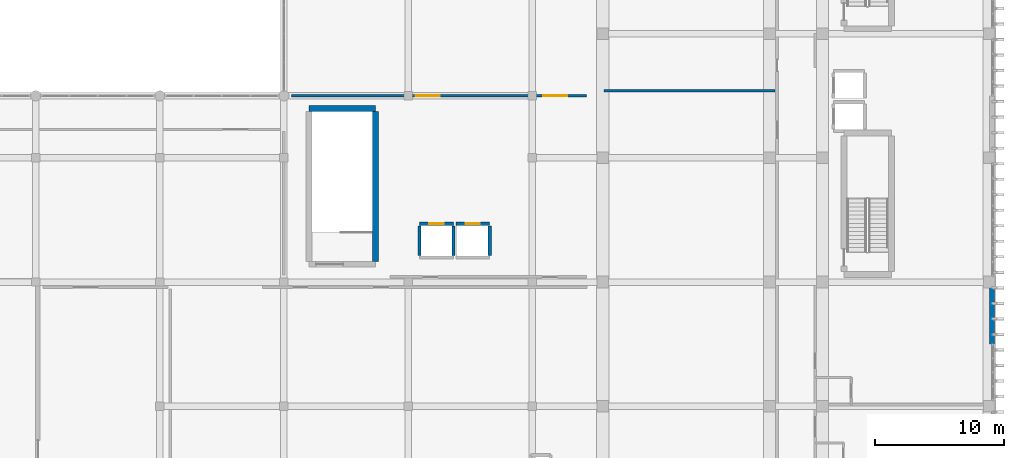
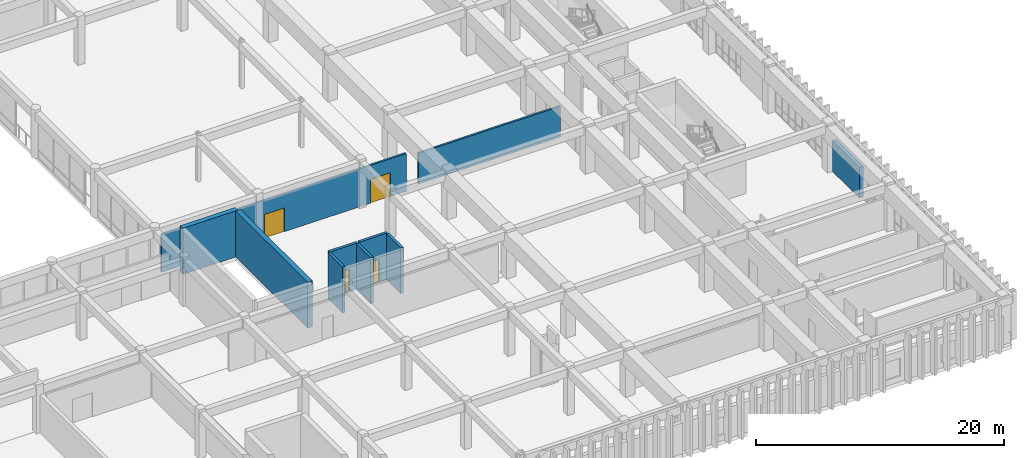
# One storey, part 77 of 101: 10 walls, 4 doors, 4 openings.
"""IFC4 building model written with IfcOpenShell, lengths in metres."""

from ifc_helpers import new_model, si_unit, direction, frame, frame_2d, origin, place, context, subcontext, project, spatial, rectangle, extrude, material, layer, layer_set, type_object, element, fill, save


model = new_model("IFC4")

# Units and contexts
model_context = context("Model", 3, precision=1e-05, world=origin(), true_north=direction((0.0, 1.0)))
body_context = subcontext(model_context, "Body", "Model", "MODEL_VIEW")
ifc_project = project(units=[si_unit("LENGTHUNIT", "METRE"), si_unit("AREAUNIT", "SQUARE_METRE"), si_unit("VOLUMEUNIT", "CUBIC_METRE"), si_unit("PLANEANGLEUNIT", "RADIAN"), si_unit("MASSUNIT", "GRAM", prefix="KILO")], contexts=[model_context])

# Site, building, storey
site_placement = place(None, origin())
site = spatial("IfcSite", under=ifc_project, at=site_placement, CompositionType="ELEMENT")
building_placement = place(site_placement, origin())
building = spatial("IfcBuilding", under=site, at=building_placement, Name="Nakhvara Creek Congress Hotel", CompositionType="ELEMENT")
storey_placement = place(building_placement, frame((0.0, 0.0, 16.199951171875)))
storey = spatial("IfcBuildingStorey", under=building, at=storey_placement, Name="L03", CompositionType="ELEMENT", Elevation=16.199951171875)

# Walls
ifc_material_1 = material(Name="Concrete C50/60", Category="concrete")
ifc_layer_1 = layer(ifc_material_1, 0.449951171875)
ifc_layer_set_1 = layer_set([ifc_layer_1], Name="Concrete C50/60")
wall_type_1 = type_object("IfcWallType", Name="W-CORE-450", PredefinedType="SHEAR", material=ifc_layer_set_1)
wall_1_placement = place(storey_placement, frame((126.72998046875, 42.219970703125, 0.0), z_axis=(0.0, 0.0, 1.0), x_axis=(1.0, 0.0, 0.0)))
element("IfcWall", 1, at=wall_1_placement, inside=storey, type_object=wall_type_1, Name="Core Shear Wall WS02-CWALL-L03-0837", PredefinedType="SHEAR", context=body_context, shape_type="SweptSolid", body=[
    extrude(rectangle(XDim=5.14990234375, YDim=0.449951171875, at=frame_2d((2.574951171875, 0.0))), origin(), (0.0, 0.0, 1.0), 4.5400390625),
])
wall_2_placement = place(storey_placement, frame((131.8798828125, 30.39990234375, 0.0), z_axis=(0.0, 0.0, 1.0), x_axis=(0.0, 1.0, 0.0)))
element("IfcWall", 2, at=wall_2_placement, inside=storey, type_object=wall_type_1, Name="Core Shear Wall WS02-CWALL-L03-0839", PredefinedType="SHEAR", context=body_context, shape_type="SweptSolid", body=[
    extrude(rectangle(XDim=11.60009765625, YDim=0.449951171875, at=frame_2d((5.800048828125, 0.0))), origin(), (0.0, 0.0, 1.0), 4.5400390625),
])
ifc_material_2 = material(Name="Honed pale Omani limestone cladding", Category="masonry")
ifc_layer_2 = layer(ifc_material_2, 0.050048828125)
ifc_material_3 = material(Name="Mineral wool thermal insulation")
ifc_layer_3 = layer(ifc_material_3, 0.110107421875)
ifc_material_4 = material(Name="Precast concrete C40/50", Category="concrete")
ifc_layer_4 = layer(ifc_material_4, 0.219970703125)
ifc_layer_set_2 = layer_set([ifc_layer_2, ifc_layer_3, ifc_layer_4], Name="Precast concrete C40/50")
wall_type_2 = type_object("IfcWallType", Name="W-EXT-380", PredefinedType="SOLIDWALL", material=ifc_layer_set_2)
wall_3_placement = place(storey_placement, frame((179.56005859375, 28.375, 0.0), z_axis=(0.0, 0.0, 1.0), x_axis=(0.0, -1.0, 0.0)))
element("IfcWall", 3, at=wall_3_placement, inside=storey, type_object=wall_type_2, Name="Exterior Wall WE03-EW-L03-0122", PredefinedType="SOLIDWALL", context=body_context, shape_type="SweptSolid", body=[
    extrude(rectangle(XDim=4.375, YDim=0.3798828125, at=frame_2d((2.1875, 0.0))), origin(), (0.0, 0.0, 1.0), 3.031982421875),
])

# Wall, openings, doors
ifc_material_5 = material(Name="Gypsum acoustic board on steel stud", Category="steel")
ifc_layer_5 = layer(ifc_material_5, 0.179931640625)
ifc_layer_set_3 = layer_set([ifc_layer_5], Name="Gypsum acoustic board on steel stud")
wall_type_3 = type_object("IfcWallType", Name="W-MEET-180", PredefinedType="PARTITIONING", material=ifc_layer_set_3)
wall_4_placement = place(storey_placement, frame((125.39990234375, 43.199951171875, 0.0), z_axis=(0.0, 0.0, 1.0), x_axis=(1.0, 0.0, 0.0)))
wall_4 = element("IfcWall", 4, at=wall_4_placement, inside=storey, type_object=wall_type_3, Name="Interior Wall WP13-IW-L03-0225", PredefinedType="PARTITIONING", context=body_context, shape_type="SweptSolid", body=[
    extrude(rectangle(XDim=22.800048828125, YDim=0.179931640625, at=frame_2d((11.39990234375, 0.0))), origin(), (0.0, 0.0, 1.0), 3.73193359375),
])
opening_1_placement = place(wall_4_placement, frame((9.60009765625, 0.0, 0.0)))
opening_1 = element("IfcOpeningElement", 5, at=opening_1_placement, cuts=wall_4, Name="Opening MD01", PredefinedType="OPENING", context=body_context, shape_type="SweptSolid", body=[
    extrude(rectangle(XDim=1.85009765625, YDim=2.35009765625, at=frame_2d((0.925048828125, 1.175048828125))), frame((0.0, 0.10205078125, 0.0), z_axis=(0.0, -1.0, 0.0), x_axis=(1.0, 0.0, 0.0)), (0.0, 0.0, 1.0), 0.203857421875),
])
opening_2_placement = place(wall_4_placement, frame((19.449951171875, 0.0, 0.0)))
opening_2 = element("IfcOpeningElement", 6, at=opening_2_placement, cuts=wall_4, Name="Opening MD01", PredefinedType="OPENING", context=body_context, shape_type="SweptSolid", body=[
    extrude(rectangle(XDim=1.85009765625, YDim=2.35009765625, at=frame_2d((0.925048828125, 1.175048828125))), frame((0.0, 0.10205078125, 0.0), z_axis=(0.0, -1.0, 0.0), x_axis=(1.0, 0.0, 0.0)), (0.0, 0.0, 1.0), 0.203857421875),
])
ifc_material_6 = material(Name="Acoustic walnut timber double door", Category="wood")
door_type_1 = type_object("IfcDoorType", Name="DT-MEET-185", OperationType="DOUBLE_DOOR_SINGLE_SWING", PredefinedType="DOOR", material=ifc_material_6)
door_1_placement = place(opening_1_placement, frame((1.85009765625, 0.0, 0.0), z_axis=(0.0, 0.0, 1.0), x_axis=(-1.0, 0.0, 0.0)))
door_1 = element("IfcDoor", 7, at=door_1_placement, inside=storey, type_object=door_type_1, Name="Interior Door MD01-0206", OperationType="DOUBLE_DOOR_SINGLE_SWING", OverallHeight=2.35009765625, OverallWidth=1.85009765625, PredefinedType="DOOR", context=body_context, shape_type="SweptSolid", body=[
    extrude(rectangle(XDim=1.85009765625, YDim=2.35009765625, at=frame_2d((0.925048828125, 1.175048828125))), frame((0.0, 0.02490234375, 0.0), z_axis=(0.0, -1.0, 0.0), x_axis=(1.0, 0.0, 0.0)), (0.0, 0.0, 1.0), 0.050048828125),
])
fill(opening_1, door_1)
door_2_placement = place(opening_2_placement, frame((1.85009765625, 0.0, 0.0), z_axis=(0.0, 0.0, 1.0), x_axis=(-1.0, 0.0, 0.0)))
door_2 = element("IfcDoor", 8, at=door_2_placement, inside=storey, type_object=door_type_1, Name="Interior Door MD01-0207", OperationType="DOUBLE_DOOR_SINGLE_SWING", OverallHeight=2.35009765625, OverallWidth=1.85009765625, PredefinedType="DOOR", context=body_context, shape_type="SweptSolid", body=[
    extrude(rectangle(XDim=1.85009765625, YDim=2.35009765625, at=frame_2d((0.925048828125, 1.175048828125))), frame((0.0, 0.02490234375, 0.0), z_axis=(0.0, -1.0, 0.0), x_axis=(1.0, 0.0, 0.0)), (0.0, 0.0, 1.0), 0.050048828125),
])
fill(opening_2, door_2)

# Wall
wall_5_placement = place(storey_placement, frame((149.550048828125, 43.60009765625, 0.0), z_axis=(0.0, 0.0, 1.0), x_axis=(1.0, 0.0, 0.0)))
element("IfcWall", 9, at=wall_5_placement, inside=storey, type_object=wall_type_3, Name="Interior Wall WP13-IW-L03-0234", PredefinedType="PARTITIONING", context=body_context, shape_type="SweptSolid", body=[
    extrude(rectangle(XDim=13.22998046875, YDim=0.179931640625, at=frame_2d((6.614990234375, 0.0))), origin(), (0.0, 0.0, 1.0), 3.031982421875),
])

# Wall, opening, door
ifc_material_7 = material(Name="Concrete C40/50", Category="concrete")
ifc_layer_6 = layer(ifc_material_7, 0.25)
ifc_layer_set_4 = layer_set([ifc_layer_6], Name="Concrete C40/50")
wall_type_4 = type_object("IfcWallType", Name="W-SHAFT-250", PredefinedType="SOLIDWALL", material=ifc_layer_set_4)
wall_6_placement = place(storey_placement, frame((135.2900390625, 33.31005859375, 0.0), z_axis=(0.0, 0.0, 1.0), x_axis=(1.0, 0.0, 0.0)))
wall_6 = element("IfcWall", 10, at=wall_6_placement, inside=storey, type_object=wall_type_4, Name="Core Shear Wall WI02-CWALL-L03-0841", PredefinedType="SOLIDWALL", context=body_context, shape_type="SweptSolid", body=[
    extrude(rectangle(XDim=2.619873046875, YDim=0.25, at=frame_2d((1.31005859375, 0.0))), origin(), (0.0, 0.0, 1.0), 4.5400390625),
])
opening_3_placement = place(wall_6_placement, frame((0.760009765625, 0.0, 0.0)))
opening_3 = element("IfcOpeningElement", 11, at=opening_3_placement, cuts=wall_6, Name="Opening LD01", PredefinedType="OPENING", context=body_context, shape_type="SweptSolid", body=[
    extrude(rectangle(XDim=1.10009765625, YDim=2.199951171875, at=frame_2d((0.550048828125, 1.10009765625))), frame((0.0, 0.136962890625, 0.0), z_axis=(0.0, -1.0, 0.0), x_axis=(1.0, 0.0, 0.0)), (0.0, 0.0, 1.0), 0.27392578125),
])
ifc_material_8 = material(Name="Brushed stainless steel sliding landing door", Category="steel")
door_type_2 = type_object("IfcDoorType", Name="DT-LIFT-110", OperationType="DOUBLE_DOOR_SLIDING", PredefinedType="DOOR", material=ifc_material_8)
door_3_placement = place(opening_3_placement, origin())
door_3 = element("IfcDoor", 12, at=door_3_placement, inside=storey, type_object=door_type_2, Name="Landing Door CL03-L03", OperationType="SLIDING_TO_LEFT", OverallHeight=2.199951171875, OverallWidth=1.10009765625, PredefinedType="DOOR", context=body_context, shape_type="SweptSolid", body=[
    extrude(rectangle(XDim=1.10009765625, YDim=2.199951171875, at=frame_2d((0.550048828125, 1.10009765625))), frame((0.0, 0.02490234375, 0.0), z_axis=(0.0, -1.0, 0.0), x_axis=(1.0, 0.0, 0.0)), (0.0, 0.0, 1.0), 0.050048828125),
])
fill(opening_3, door_3)

# Walls
for number, where, z_axis, x_axis, name in (
    (13, (135.2900390625, 30.85009765625, 0.0), (0.0, 0.0, 1.0), (0.0, 1.0, 0.0), "Core Shear Wall WI02-CWALL-L03-0842"),
    (14, (137.909912109375, 30.85009765625, 0.0), (0.0, 0.0, 1.0), (0.0, 1.0, 0.0), "Core Shear Wall WI02-CWALL-L03-0843"),
):
    element("IfcWall", number, at=place(storey_placement, frame(where, z_axis=z_axis, x_axis=x_axis)), inside=storey, type_object=wall_type_4, Name=name, PredefinedType="SOLIDWALL", context=body_context, shape_type="SweptSolid", body=[
        extrude(rectangle(XDim=2.2998046875, YDim=0.25, at=frame_2d((1.14990234375, 0.0))), origin(), (0.0, 0.0, 1.0), 4.5400390625),
    ])

# Wall, opening, door
wall_7_placement = place(storey_placement, frame((138.090087890625, 33.31005859375, 0.0), z_axis=(0.0, 0.0, 1.0), x_axis=(1.0, 0.0, 0.0)))
wall_7 = element("IfcWall", 15, at=wall_7_placement, inside=storey, type_object=wall_type_4, Name="Core Shear Wall WI02-CWALL-L03-0845", PredefinedType="SOLIDWALL", context=body_context, shape_type="SweptSolid", body=[
    extrude(rectangle(XDim=2.619873046875, YDim=0.25, at=frame_2d((1.31005859375, 0.0))), origin(), (0.0, 0.0, 1.0), 4.5400390625),
])
opening_4_placement = place(wall_7_placement, frame((0.760009765625, 0.0, 0.0)))
opening_4 = element("IfcOpeningElement", 16, at=opening_4_placement, cuts=wall_7, Name="Opening LD01", PredefinedType="OPENING", context=body_context, shape_type="SweptSolid", body=[
    extrude(rectangle(XDim=1.10009765625, YDim=2.199951171875, at=frame_2d((0.550048828125, 1.10009765625))), frame((0.0, 0.136962890625, 0.0), z_axis=(0.0, -1.0, 0.0), x_axis=(1.0, 0.0, 0.0)), (0.0, 0.0, 1.0), 0.27392578125),
])
door_4_placement = place(opening_4_placement, origin())
door_4 = element("IfcDoor", 17, at=door_4_placement, inside=storey, type_object=door_type_2, Name="Landing Door CL04-L03", OperationType="SLIDING_TO_LEFT", OverallHeight=2.199951171875, OverallWidth=1.10009765625, PredefinedType="DOOR", context=body_context, shape_type="SweptSolid", body=[
    extrude(rectangle(XDim=1.10009765625, YDim=2.199951171875, at=frame_2d((0.550048828125, 1.10009765625))), frame((0.0, 0.02490234375, 0.0), z_axis=(0.0, -1.0, 0.0), x_axis=(1.0, 0.0, 0.0)), (0.0, 0.0, 1.0), 0.050048828125),
])
fill(opening_4, door_4)

# Wall
wall_8_placement = place(storey_placement, frame((140.7099609375, 30.85009765625, 0.0), z_axis=(0.0, 0.0, 1.0), x_axis=(0.0, 1.0, 0.0)))
element("IfcWall", 18, at=wall_8_placement, inside=storey, type_object=wall_type_4, Name="Core Shear Wall WI02-CWALL-L03-0846", PredefinedType="SOLIDWALL", context=body_context, shape_type="SweptSolid", body=[
    extrude(rectangle(XDim=2.2998046875, YDim=0.25, at=frame_2d((1.14990234375, 0.0))), origin(), (0.0, 0.0, 1.0), 4.5400390625),
])

save(model, "model.ifc")
